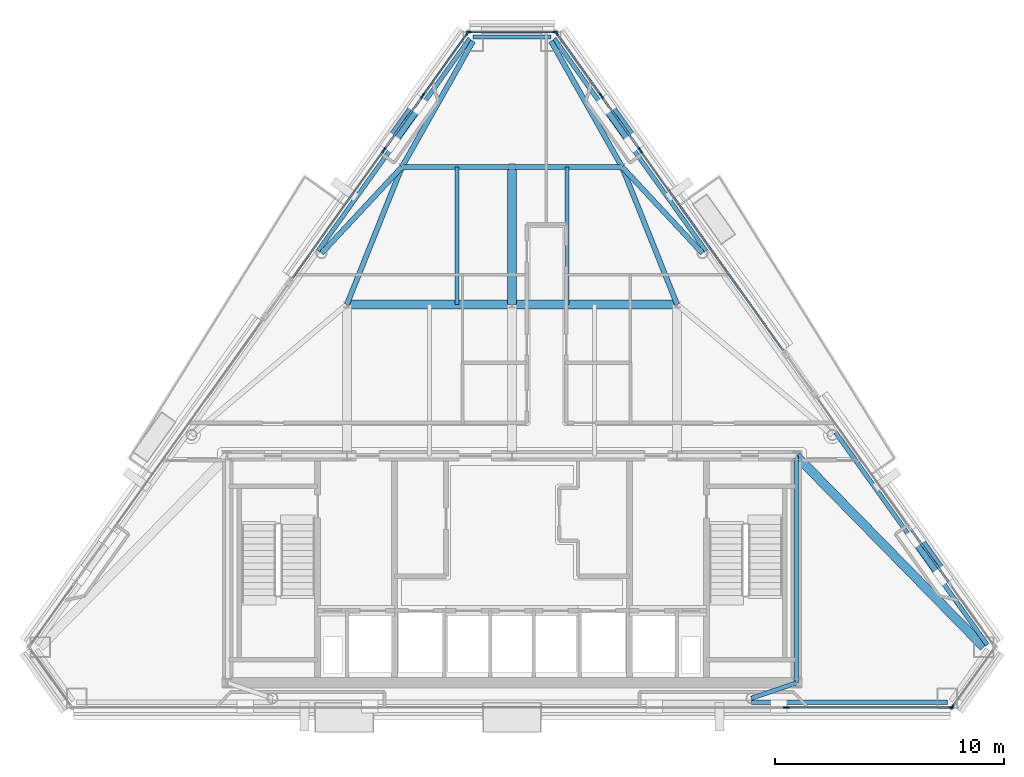
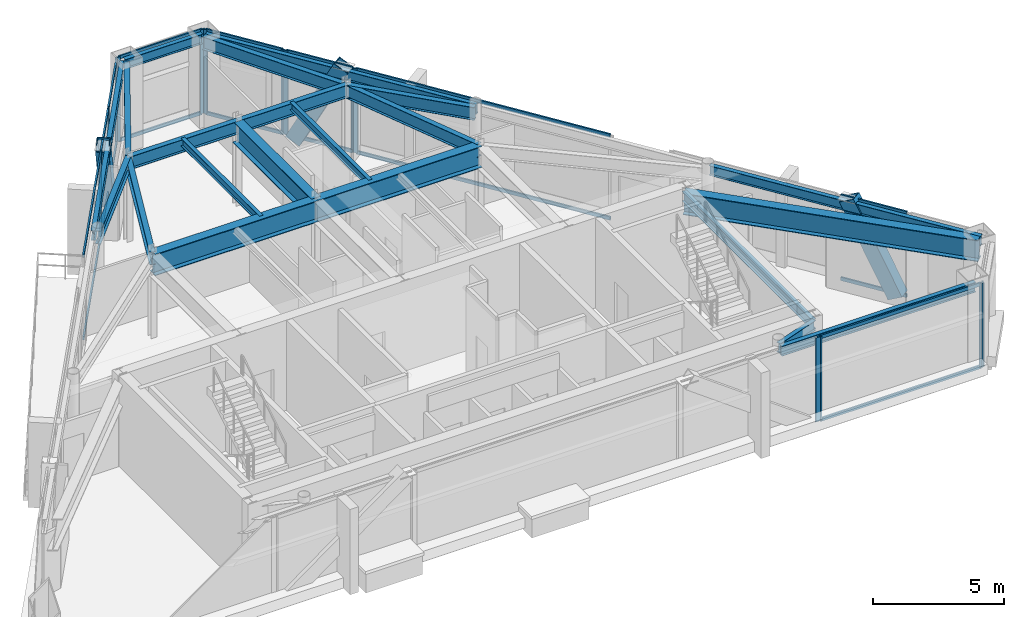
# One storey, part 5 of 12: 37 members, 21 beams, 11 elements without a shape of their own.
"""IFC4 building model written with IfcOpenShell, lengths in metres."""

from ifc_helpers import new_model, si_unit, direction, frame, origin, origin_2d, place, context, subcontext, project, spatial, rectangle, hollow_rectangle, i_section, extrude, material, layer, layer_set, material_profile, profile_set, type_object, element, aggregate, save


model = new_model("IFC4")

# Units and contexts
model_context = context("Model", 3, precision=1e-05, world=origin(), true_north=direction((0.0, 1.0)))
body_context = subcontext(model_context, "Body", "Model", "MODEL_VIEW")
ifc_project = project(units=[si_unit("LENGTHUNIT", "METRE"), si_unit("AREAUNIT", "SQUARE_METRE"), si_unit("VOLUMEUNIT", "CUBIC_METRE"), si_unit("PLANEANGLEUNIT", "RADIAN"), si_unit("MASSUNIT", "GRAM", prefix="KILO")], contexts=[model_context])

# Site, building, storey
site_placement = place(None, origin())
site = spatial("IfcSite", under=ifc_project, at=site_placement, CompositionType="ELEMENT")
building_placement = place(site_placement, origin())
building = spatial("IfcBuilding", under=site, at=building_placement, Name="Talgorran Terracotta Tower", CompositionType="ELEMENT")
storey_placement = place(building_placement, frame((0.0, 0.0, 285.0)))
storey = spatial("IfcBuildingStorey", under=building, at=storey_placement, Name="L75", CompositionType="ELEMENT", Elevation=285.0)

# Beams
ifc_material_1 = material(Name="Steel Grade 350 (350L0)", Category="steel")
ifc_material_profile_1 = material_profile(ifc_material_1, i_section(OverallWidth=0.39990234375, OverallDepth=1.0, WebThickness=0.01611328125, FlangeThickness=0.031005859375, at=origin_2d()), Name="1000WB296")
ifc_profile_set_1 = profile_set([ifc_material_profile_1], Name="Steel Grade 350 (350L0)")
beam_type_1 = type_object("IfcBeamType", Name="BM_1000WB296", PredefinedType="BEAM", material=ifc_profile_set_1)
for number, where, z_axis, x_axis, name in (
    (1, (-7.199951171875, 2.39990234375, 3.419921875), (1.0, 0.0, 0.0), (0.0, 1.0, 0.0), "L75 Floor Girder G04"),
    (2, (0.0, 2.39990234375, 3.419921875), (1.0, 0.0, 0.0), (0.0, 1.0, 0.0), "L75 Floor Girder G05"),
):
    element("IfcBeam", number, at=place(storey_placement, frame(where, z_axis=z_axis, x_axis=x_axis)), inside=storey, type_object=beam_type_1, Name=name, PredefinedType="BEAM", context=body_context, shape_type="SweptSolid", body=[
        extrude(i_section(OverallWidth=0.39990234375, OverallDepth=1.0, WebThickness=0.01611328125, FlangeThickness=0.031005859375, at=origin_2d()), origin(), (0.0, 0.0, 1.0), 7.199951171875),
    ])
beam_1_placement = place(storey_placement, frame((0.0, 2.39990234375, 3.419921875), z_axis=(0.0, 1.0, 0.0), x_axis=(-1.0, 0.0, 0.0)))
element("IfcBeam", 3, at=beam_1_placement, inside=storey, type_object=beam_type_1, Name="L75 Floor Girder G09", PredefinedType="BEAM", context=body_context, shape_type="SweptSolid", body=[
    extrude(i_section(OverallWidth=0.39990234375, OverallDepth=1.0, WebThickness=0.01611328125, FlangeThickness=0.031005859375, at=origin_2d()), origin(), (0.0, 0.0, 1.0), 6.0),
])
beam_2_placement = place(storey_placement, frame((12.39990234375, -4.199951171875, 3.419921875), z_axis=(0.700061173466, -0.714082875726, 0.0), x_axis=(0.714082875726, 0.700061173466, 0.0)))
element("IfcBeam", 4, at=beam_2_placement, inside=storey, type_object=beam_type_1, Name="L75 Floor Girder G18", PredefinedType="BEAM", context=body_context, shape_type="SweptSolid", body=[
    extrude(i_section(OverallWidth=0.39990234375, OverallDepth=1.0, WebThickness=0.01611328125, FlangeThickness=0.031005859375, at=origin_2d()), origin(), (0.0, 0.0, 1.0), 11.68310546875),
])
ifc_material_2 = material(Name="Steel S355 (300PLUS)", Category="steel")
ifc_material_profile_2 = material_profile(ifc_material_2, i_section(OverallWidth=0.22802734375, OverallDepth=0.60205078125, WebThickness=0.010498046875, FlangeThickness=0.014892578125, at=origin_2d()), Name="610UB101")
ifc_profile_set_2 = profile_set([ifc_material_profile_2], Name="Steel S355 (300PLUS)")
beam_type_2 = type_object("IfcBeamType", Name="BM_610UB101", PredefinedType="BEAM", material=ifc_profile_set_2)
for number, where, z_axis, x_axis, name in (
    (5, (-7.199951171875, 2.39990234375, 3.618896484375), (0.371377648723, 0.928481901832, 0.0), (-0.928481901832, 0.371377648723, 0.0), "L75 Floor Girder G08"),
    (6, (7.199951171875, 2.39990234375, 3.618896484375), (-0.371377648723, 0.928481901832, 0.0), (-0.928481901832, -0.371377648723, 0.0), "L75 Floor Girder G10"),
):
    element("IfcBeam", number, at=place(storey_placement, frame(where, z_axis=z_axis, x_axis=x_axis)), inside=storey, type_object=beam_type_2, Name=name, PredefinedType="BEAM", context=body_context, shape_type="SweptSolid", body=[
        extrude(i_section(OverallWidth=0.22802734375, OverallDepth=0.60205078125, WebThickness=0.010498046875, FlangeThickness=0.014892578125, at=origin_2d()), origin(), (0.0, 0.0, 1.0), 6.462158203125),
    ])
for number, where, z_axis, x_axis, name in (
    (7, (-4.800048828125, 8.39990234375, 3.618896484375), (1.0, 0.0, 0.0), (0.0, 1.0, 0.0), "L75 Floor Girder G11"),
    (8, (0.0, 8.39990234375, 3.618896484375), (1.0, 0.0, 0.0), (0.0, 1.0, 0.0), "L75 Floor Girder G12"),
):
    element("IfcBeam", number, at=place(storey_placement, frame(where, z_axis=z_axis, x_axis=x_axis)), inside=storey, type_object=beam_type_2, Name=name, PredefinedType="BEAM", context=body_context, shape_type="SweptSolid", body=[
        extrude(i_section(OverallWidth=0.22802734375, OverallDepth=0.60205078125, WebThickness=0.010498046875, FlangeThickness=0.014892578125, at=origin_2d()), origin(), (0.0, 0.0, 1.0), 4.800048828125),
    ])
for number, where, z_axis, x_axis, name in (
    (9, (-4.800048828125, 8.39990234375, 3.618896484375), (-0.681815691215, -0.731524000435, 0.0), (0.731524000435, -0.681815691215, 0.0), "L75 Floor Girder G13"),
    (10, (4.800048828125, 8.39990234375, 3.618896484375), (0.681815691215, -0.731524000435, 0.0), (0.731524000435, 0.681815691215, 0.0), "L75 Floor Girder G14"),
):
    element("IfcBeam", number, at=place(storey_placement, frame(where, z_axis=z_axis, x_axis=x_axis)), inside=storey, type_object=beam_type_2, Name=name, PredefinedType="BEAM", context=body_context, shape_type="SweptSolid", body=[
        extrude(i_section(OverallWidth=0.22802734375, OverallDepth=0.60205078125, WebThickness=0.010498046875, FlangeThickness=0.014892578125, at=origin_2d()), origin(), (0.0, 0.0, 1.0), 5.142333984375),
    ])
for number, where, z_axis, x_axis, name in (
    (11, (-4.800048828125, 8.39990234375, 3.618896484375), (0.491971771533, 0.870611150867, 0.0), (-0.870611150867, 0.491971771533, 0.0), "L75 Floor Girder G15"),
    (12, (4.800048828125, 8.39990234375, 3.618896484375), (-0.491971771533, 0.870611150867, 0.0), (-0.870611150867, -0.491971771533, 0.0), "L75 Floor Girder G16"),
):
    element("IfcBeam", number, at=place(storey_placement, frame(where, z_axis=z_axis, x_axis=x_axis)), inside=storey, type_object=beam_type_2, Name=name, PredefinedType="BEAM", context=body_context, shape_type="SweptSolid", body=[
        extrude(i_section(OverallWidth=0.22802734375, OverallDepth=0.60205078125, WebThickness=0.010498046875, FlangeThickness=0.014892578125, at=origin_2d()), origin(), (0.0, 0.0, 1.0), 6.305419921875),
    ])
ifc_material_profile_3 = material_profile(ifc_material_2, i_section(OverallWidth=0.17138671875, OverallDepth=0.355712890625, WebThickness=0.00732421875, FlangeThickness=0.011474609375, at=origin_2d()), Name="360UB50.7")
ifc_profile_set_3 = profile_set([ifc_material_profile_3], Name="Steel S355 (300PLUS)")
beam_type_3 = type_object("IfcBeamType", Name="BM_JS_360UB51", PredefinedType="JOIST", material=ifc_profile_set_3)
for number, where, z_axis, x_axis, name in (
    (13, (-2.39990234375, 2.39990234375, 3.7421875), (0.0, 1.0, 0.0), (-1.0, 0.0, 0.0), "L75 Secondary Joist J03"),
    (14, (2.39990234375, 2.39990234375, 3.7421875), (0.0, 1.0, 0.0), (-1.0, 0.0, 0.0), "L75 Secondary Joist J04"),
):
    element("IfcBeam", number, at=place(storey_placement, frame(where, z_axis=z_axis, x_axis=x_axis)), inside=storey, type_object=beam_type_3, Name=name, PredefinedType="JOIST", context=body_context, shape_type="SweptSolid", body=[
        extrude(i_section(OverallWidth=0.17138671875, OverallDepth=0.355712890625, WebThickness=0.00732421875, FlangeThickness=0.011474609375, at=origin_2d()), origin(), (0.0, 0.0, 1.0), 6.0),
    ])
ifc_material_profile_4 = material_profile(ifc_material_2, i_section(OverallWidth=0.18994140625, OverallDepth=0.45703125, WebThickness=0.009033203125, FlangeThickness=0.014404296875, at=origin_2d()), Name="460UB74.6")
ifc_profile_set_4 = profile_set([ifc_material_profile_4], Name="Steel S355 (300PLUS)")
beam_type_4 = type_object("IfcBeamType", Name="BM_SP_460UB74", PredefinedType="SPANDREL", material=ifc_profile_set_4)
beam_3_placement = place(storey_placement, frame((10.441650390625, -14.954345703125, 3.69140625), z_axis=(1.0, 0.0, 0.0), x_axis=(0.0, 1.0, 0.0)))
element("IfcBeam", 15, at=beam_3_placement, inside=storey, type_object=beam_type_4, Name="L75 Perimeter Spandrel Beam FC2-MC3", PredefinedType="SPANDREL", context=body_context, shape_type="SweptSolid", body=[
    extrude(i_section(OverallWidth=0.18994140625, OverallDepth=0.45703125, WebThickness=0.009033203125, FlangeThickness=0.014404296875, at=origin_2d()), origin(), (0.0, 0.0, 1.0), 8.54296875),
])
beam_4_placement = place(storey_placement, frame((20.725341796875, -12.438232421875, 3.69140625), z_axis=(-0.581260538156, 0.813717510431, 0.0), x_axis=(-0.813717510431, -0.581260538156, 0.0)))
element("IfcBeam", 16, at=beam_4_placement, inside=storey, type_object=beam_type_4, Name="L75 Perimeter Spandrel Beam MC4-FC3", PredefinedType="SPANDREL", context=body_context, shape_type="SweptSolid", body=[
    extrude(i_section(OverallWidth=0.18994140625, OverallDepth=0.45703125, WebThickness=0.009033203125, FlangeThickness=0.014404296875, at=origin_2d()), origin(), (0.0, 0.0, 1.0), 11.369140625),
])
beam_5_placement = place(storey_placement, frame((8.45263671875, 4.742919921875, 3.69140625), z_axis=(-0.581246319121, 0.813727667287, 0.0), x_axis=(-0.813727667287, -0.581246319121, 0.0)))
element("IfcBeam", 17, at=beam_5_placement, inside=storey, type_object=beam_type_4, Name="L75 Perimeter Spandrel Beam FC4-MC5", PredefinedType="SPANDREL", context=body_context, shape_type="SweptSolid", body=[
    extrude(i_section(OverallWidth=0.18994140625, OverallDepth=0.45703125, WebThickness=0.009033203125, FlangeThickness=0.014404296875, at=origin_2d()), origin(), (0.0, 0.0, 1.0), 11.368896484375),
])
beam_6_placement = place(storey_placement, frame((1.697998046875, 14.069580078125, 3.69140625), z_axis=(-1.0, 0.0, 0.0), x_axis=(0.0, -1.0, 0.0)))
element("IfcBeam", 18, at=beam_6_placement, inside=storey, type_object=beam_type_4, Name="L75 Perimeter Spandrel Beam MC5-MC6", PredefinedType="SPANDREL", context=body_context, shape_type="SweptSolid", body=[
    extrude(i_section(OverallWidth=0.18994140625, OverallDepth=0.45703125, WebThickness=0.009033203125, FlangeThickness=0.014404296875, at=origin_2d()), origin(), (0.0, 0.0, 1.0), 3.39599609375),
])
beam_7_placement = place(storey_placement, frame((-1.844482421875, 13.994140625, 3.69140625), z_axis=(-0.581246319121, -0.813727667287, 0.0), x_axis=(0.813727667287, -0.581246319121, 0.0)))
element("IfcBeam", 19, at=beam_7_placement, inside=storey, type_object=beam_type_4, Name="L75 Perimeter Spandrel Beam MC6-FC5", PredefinedType="SPANDREL", context=body_context, shape_type="SweptSolid", body=[
    extrude(i_section(OverallWidth=0.18994140625, OverallDepth=0.45703125, WebThickness=0.009033203125, FlangeThickness=0.014404296875, at=origin_2d()), origin(), (0.0, 0.0, 1.0), 11.368896484375),
])
beam_8_placement = place(storey_placement, frame((12.39990234375, -14.10009765625, 3.69140625), z_axis=(-0.945513197236, -0.325583773939, 0.0), x_axis=(0.325583773939, -0.945513197236, 0.0)))
element("IfcBeam", 20, at=beam_8_placement, inside=storey, type_object=beam_type_4, Name="L75 South-East Core Tie Beam", PredefinedType="SPANDREL", context=body_context, shape_type="SweptSolid", body=[
    extrude(i_section(OverallWidth=0.18994140625, OverallDepth=0.45703125, WebThickness=0.009033203125, FlangeThickness=0.014404296875, at=origin_2d()), origin(), (0.0, 0.0, 1.0), 2.071044921875),
])
beam_9_placement = place(storey_placement, frame((12.39990234375, -14.10009765625, 3.69140625), z_axis=(0.0, 1.0, 0.0), x_axis=(-1.0, 0.0, 0.0)))
element("IfcBeam", 21, at=beam_9_placement, inside=storey, type_object=beam_type_4, Name="L75 Core Frame Beam CFE", PredefinedType="SPANDREL", context=body_context, shape_type="SweptSolid", body=[
    extrude(i_section(OverallWidth=0.18994140625, OverallDepth=0.45703125, WebThickness=0.009033203125, FlangeThickness=0.014404296875, at=origin_2d()), origin(), (0.0, 0.0, 1.0), 9.900146484375),
])

# Members
ifc_material_profile_5 = material_profile(ifc_material_1, hollow_rectangle(XDim=0.52001953125, YDim=0.659912109375, WallThickness=0.034912109375, at=origin_2d()), Name="WBOX660X520X35")
ifc_profile_set_5 = profile_set([ifc_material_profile_5], Name="Steel Grade 350 (350L0)")
member_type_1 = type_object("IfcMemberType", Name="MB_MEGA_660", PredefinedType="BRACE", material=ifc_profile_set_5)
member_1_placement = place(storey_placement, frame((18.788330078125, -9.4169921875, -0.02490234375), z_axis=(-0.264620269875, 0.370512180063, 0.890335238658), x_axis=(-0.813765971301, -0.581192690897, 0.0)))
element("IfcMember", 22, at=member_1_placement, inside=storey, type_object=member_type_1, Name="L75 Exterior Face Mega-Brace MB-3 (NEL)", PredefinedType="BRACE", context=body_context, shape_type="SweptSolid", body=[
    extrude(hollow_rectangle(XDim=0.52001953125, YDim=0.659912109375, WallThickness=0.034912109375, at=origin_2d()), origin(), (0.0, 0.0, 1.0), 4.458984375),
])
for number, where, z_axis, x_axis, name in (
    (23, (4.115966796875, 11.123779296875, -0.02490234375), (0.264665818211, -0.370554045853, 0.890304275949), (0.813749718847, 0.581215446351, 0.0), "L75 Exterior Face Mega-Brace MB-3 (NEU)"),
    (24, (-4.115966796875, 11.123779296875, -0.02490234375), (-0.264665818211, -0.370554045853, 0.890304275949), (0.813749718847, -0.581215446351, 0.0), "L75 Exterior Face Mega-Brace MB-3 (NWU)"),
):
    element("IfcMember", number, at=place(storey_placement, frame(where, z_axis=z_axis, x_axis=x_axis)), inside=storey, type_object=member_type_1, Name=name, PredefinedType="BRACE", context=body_context, shape_type="SweptSolid", body=[
        extrude(hollow_rectangle(XDim=0.52001953125, YDim=0.659912109375, WallThickness=0.034912109375, at=origin_2d()), origin(), (0.0, 0.0, 1.0), 4.459228515625),
    ])

# Curtain wall, member
ifc_material_3 = material(Name="High-Wind Unitised Glazing", Category="glass")
ifc_layer = layer(ifc_material_3, 0.2099609375, Name="CW_SYS3_RES_HIGH")
ifc_layer_set = layer_set([ifc_layer], Name="High-Wind Unitised Glazing")
curtain_wall_type = type_object("IfcCurtainWallType", Name="CW_SYS3_RES_HIGH", PredefinedType="NOTDEFINED", material=ifc_layer_set)
curtain_wall_1_placement = place(storey_placement, origin())
curtain_wall_1 = element("IfcCurtainWall", 25, at=curtain_wall_1_placement, inside=storey, type_object=curtain_wall_type, Name="CW-L75-F1D", PredefinedType="NOTDEFINED")
ifc_material_4 = material(Name="Architectural Aluminium 6063-T6", Category="aluminium")
ifc_material_profile_6 = material_profile(ifc_material_4, rectangle(XDim=0.070068359375, YDim=0.199951171875, at=origin_2d()), Name="CWM70X200")
ifc_profile_set_6 = profile_set([ifc_material_profile_6], Name="Architectural Aluminium 6063-T6")
member_type_2 = type_object("IfcMemberType", Name="MUL_70X200", PredefinedType="MULLION", material=ifc_profile_set_6)
member_2_placement = place(storey_placement, frame((11.9345703125, -15.17431640625, 0.0), z_axis=(0.0, 0.0, 1.0), x_axis=(0.0, 1.0, 0.0)))
member_2 = element("IfcMember", 26, at=member_2_placement, type_object=member_type_2, Name="CW-L75-1D mullion 2", PredefinedType="MULLION", context=body_context, shape_type="SweptSolid", body=[
    extrude(rectangle(XDim=0.070068359375, YDim=0.199951171875, at=origin_2d()), origin(), (0.0, 0.0, 1.0), 3.919921875),
])
aggregate(curtain_wall_1, [member_2])

# Curtain wall, members
curtain_wall_2_placement = place(storey_placement, origin())
curtain_wall_2 = element("IfcCurtainWall", 27, at=curtain_wall_2_placement, inside=storey, type_object=curtain_wall_type, Name="CW-L75-F1E", PredefinedType="NOTDEFINED")
member_3_placement = place(storey_placement, frame((12.014404296875, -15.17431640625, 0.0), z_axis=(0.0, 0.0, 1.0), x_axis=(0.0, 1.0, 0.0)))
member_3 = element("IfcMember", 28, at=member_3_placement, type_object=member_type_2, Name="CW-L75-1E mullion 1", PredefinedType="MULLION", context=body_context, shape_type="SweptSolid", body=[
    extrude(rectangle(XDim=0.070068359375, YDim=0.199951171875, at=origin_2d()), origin(), (0.0, 0.0, 1.0), 3.919921875),
])
member_4_placement = place(storey_placement, frame((19.155517578125, -15.17431640625, 0.0), z_axis=(0.0, 0.0, 1.0), x_axis=(0.0, 1.0, 0.0)))
member_4 = element("IfcMember", 29, at=member_4_placement, type_object=member_type_2, Name="CW-L75-1E mullion 2", PredefinedType="MULLION", context=body_context, shape_type="SweptSolid", body=[
    extrude(rectangle(XDim=0.070068359375, YDim=0.199951171875, at=origin_2d()), origin(), (0.0, 0.0, 1.0), 3.919921875),
])

# Curtain wall, member
curtain_wall_3_placement = place(storey_placement, origin())
curtain_wall_3 = element("IfcCurtainWall", 30, at=curtain_wall_3_placement, inside=storey, type_object=curtain_wall_type, Name="CW-L75-F2", PredefinedType="NOTDEFINED")
member_5_placement = place(storey_placement, frame((19.2109375, -15.14599609375, 0.0), z_axis=(0.0, 0.0, 1.0), x_axis=(-0.813720935413, 0.58125574343, 0.0)))
member_5 = element("IfcMember", 31, at=member_5_placement, type_object=member_type_2, Name="CW-L75-2 mullion 1", PredefinedType="MULLION", context=body_context, shape_type="SweptSolid", body=[
    extrude(rectangle(XDim=0.070068359375, YDim=0.199951171875, at=origin_2d()), origin(), (0.0, 0.0, 1.0), 3.919921875),
])
aggregate(curtain_wall_3, [member_5])

curtain_wall_4_placement = place(storey_placement, origin())
curtain_wall_4 = element("IfcCurtainWall", 32, at=curtain_wall_4_placement, inside=storey, type_object=curtain_wall_type, Name="CW-L75-F41", PredefinedType="NOTDEFINED")
member_6_placement = place(storey_placement, frame((5.60986328125, 9.10107421875, 0.0), z_axis=(0.0, 0.0, 1.0), x_axis=(-0.81372595479, -0.581248716559, 0.0)))
member_6 = element("IfcMember", 33, at=member_6_placement, type_object=member_type_2, Name="CW-L75-41 mullion 2", PredefinedType="MULLION", context=body_context, shape_type="SweptSolid", body=[
    extrude(rectangle(XDim=0.070068359375, YDim=0.199951171875, at=origin_2d()), origin(), (0.0, 0.0, 1.0), 3.919921875),
])

# Curtain wall, members
curtain_wall_5_placement = place(storey_placement, origin())
curtain_wall_5 = element("IfcCurtainWall", 34, at=curtain_wall_5_placement, inside=storey, type_object=curtain_wall_type, Name="CW-L75-F41B", PredefinedType="NOTDEFINED")
member_7_placement = place(storey_placement, frame((5.5634765625, 9.166259765625, 0.0), z_axis=(0.0, 0.0, 1.0), x_axis=(-0.813735794752, -0.581234940743, 0.0)))
member_7 = element("IfcMember", 35, at=member_7_placement, type_object=member_type_2, Name="CW-L75-41B mullion 1", PredefinedType="MULLION", context=body_context, shape_type="SweptSolid", body=[
    extrude(rectangle(XDim=0.070068359375, YDim=0.199951171875, at=origin_2d()), origin(), (0.0, 0.0, 1.0), 3.919921875),
])
member_8_placement = place(storey_placement, frame((3.913818359375, 11.4755859375, 0.0), z_axis=(0.0, 0.0, 1.0), x_axis=(-0.813735794752, -0.581234940743, 0.0)))
member_8 = element("IfcMember", 36, at=member_8_placement, type_object=member_type_2, Name="CW-L75-41B mullion 2", PredefinedType="MULLION", context=body_context, shape_type="SweptSolid", body=[
    extrude(rectangle(XDim=0.070068359375, YDim=0.199951171875, at=origin_2d()), origin(), (0.0, 0.0, 1.0), 3.919921875),
])

curtain_wall_6_placement = place(storey_placement, origin())
curtain_wall_6 = element("IfcCurtainWall", 37, at=curtain_wall_6_placement, inside=storey, type_object=curtain_wall_type, Name="CW-L75-F41C", PredefinedType="NOTDEFINED")
member_9_placement = place(storey_placement, frame((3.867431640625, 11.54052734375, 0.0), z_axis=(0.0, 0.0, 1.0), x_axis=(-0.813725458967, -0.581249410692, 0.0)))
member_9 = element("IfcMember", 38, at=member_9_placement, type_object=member_type_2, Name="CW-L75-41C mullion 1", PredefinedType="MULLION", context=body_context, shape_type="SweptSolid", body=[
    extrude(rectangle(XDim=0.070068359375, YDim=0.199951171875, at=origin_2d()), origin(), (0.0, 0.0, 1.0), 3.919921875),
])
member_10_placement = place(storey_placement, frame((1.947265625, 14.228515625, 0.0), z_axis=(0.0, 0.0, 1.0), x_axis=(-0.813725458967, -0.581249410692, 0.0)))
member_10 = element("IfcMember", 39, at=member_10_placement, type_object=member_type_2, Name="CW-L75-41C mullion 2", PredefinedType="MULLION", context=body_context, shape_type="SweptSolid", body=[
    extrude(rectangle(XDim=0.070068359375, YDim=0.199951171875, at=origin_2d()), origin(), (0.0, 0.0, 1.0), 3.919921875),
])

curtain_wall_7_placement = place(storey_placement, origin())
curtain_wall_7 = element("IfcCurtainWall", 40, at=curtain_wall_7_placement, inside=storey, type_object=curtain_wall_type, Name="CW-L75-F4", PredefinedType="NOTDEFINED")
member_11_placement = place(storey_placement, frame((1.86865234375, 14.28955078125, 0.0), z_axis=(0.0, 0.0, 1.0), x_axis=(0.0, -1.0, 0.0)))
member_11 = element("IfcMember", 41, at=member_11_placement, type_object=member_type_2, Name="CW-L75-4 mullion 1", PredefinedType="MULLION", context=body_context, shape_type="SweptSolid", body=[
    extrude(rectangle(XDim=0.070068359375, YDim=0.199951171875, at=origin_2d()), origin(), (0.0, 0.0, 1.0), 3.919921875),
])
member_12_placement = place(storey_placement, frame((-1.86865234375, 14.28955078125, 0.0), z_axis=(0.0, 0.0, 1.0), x_axis=(0.0, -1.0, 0.0)))
member_12 = element("IfcMember", 42, at=member_12_placement, type_object=member_type_2, Name="CW-L75-4 mullion 2", PredefinedType="MULLION", context=body_context, shape_type="SweptSolid", body=[
    extrude(rectangle(XDim=0.070068359375, YDim=0.199951171875, at=origin_2d()), origin(), (0.0, 0.0, 1.0), 3.919921875),
])

curtain_wall_8_placement = place(storey_placement, origin())
curtain_wall_8 = element("IfcCurtainWall", 43, at=curtain_wall_8_placement, inside=storey, type_object=curtain_wall_type, Name="CW-L75-F60", PredefinedType="NOTDEFINED")
member_13_placement = place(storey_placement, frame((-1.947265625, 14.228515625, 0.0), z_axis=(0.0, 0.0, 1.0), x_axis=(0.813725458967, -0.581249410692, 0.0)))
member_13 = element("IfcMember", 44, at=member_13_placement, type_object=member_type_2, Name="CW-L75-60 mullion 1", PredefinedType="MULLION", context=body_context, shape_type="SweptSolid", body=[
    extrude(rectangle(XDim=0.070068359375, YDim=0.199951171875, at=origin_2d()), origin(), (0.0, 0.0, 1.0), 3.919921875),
])
member_14_placement = place(storey_placement, frame((-3.867431640625, 11.54052734375, 0.0), z_axis=(0.0, 0.0, 1.0), x_axis=(0.813725458967, -0.581249410692, 0.0)))
member_14 = element("IfcMember", 45, at=member_14_placement, type_object=member_type_2, Name="CW-L75-60 mullion 2", PredefinedType="MULLION", context=body_context, shape_type="SweptSolid", body=[
    extrude(rectangle(XDim=0.070068359375, YDim=0.199951171875, at=origin_2d()), origin(), (0.0, 0.0, 1.0), 3.919921875),
])

curtain_wall_9_placement = place(storey_placement, origin())
curtain_wall_9 = element("IfcCurtainWall", 46, at=curtain_wall_9_placement, inside=storey, type_object=curtain_wall_type, Name="CW-L75-F60B", PredefinedType="NOTDEFINED")
member_15_placement = place(storey_placement, frame((-3.913818359375, 11.4755859375, 0.0), z_axis=(0.0, 0.0, 1.0), x_axis=(0.813735794752, -0.581234940743, 0.0)))
member_15 = element("IfcMember", 47, at=member_15_placement, type_object=member_type_2, Name="CW-L75-60B mullion 1", PredefinedType="MULLION", context=body_context, shape_type="SweptSolid", body=[
    extrude(rectangle(XDim=0.070068359375, YDim=0.199951171875, at=origin_2d()), origin(), (0.0, 0.0, 1.0), 3.919921875),
])
member_16_placement = place(storey_placement, frame((-5.5634765625, 9.166259765625, 0.0), z_axis=(0.0, 0.0, 1.0), x_axis=(0.813735794752, -0.581234940743, 0.0)))
member_16 = element("IfcMember", 48, at=member_16_placement, type_object=member_type_2, Name="CW-L75-60B mullion 2", PredefinedType="MULLION", context=body_context, shape_type="SweptSolid", body=[
    extrude(rectangle(XDim=0.070068359375, YDim=0.199951171875, at=origin_2d()), origin(), (0.0, 0.0, 1.0), 3.919921875),
])

# Curtain wall, member
curtain_wall_10_placement = place(storey_placement, origin())
curtain_wall_10 = element("IfcCurtainWall", 49, at=curtain_wall_10_placement, inside=storey, type_object=curtain_wall_type, Name="CW-L75-F60C", PredefinedType="NOTDEFINED")
member_17_placement = place(storey_placement, frame((-5.60986328125, 9.10107421875, 0.0), z_axis=(0.0, 0.0, 1.0), x_axis=(0.813723720899, -0.581251843907, 0.0)))
member_17 = element("IfcMember", 50, at=member_17_placement, type_object=member_type_2, Name="CW-L75-60C mullion 1", PredefinedType="MULLION", context=body_context, shape_type="SweptSolid", body=[
    extrude(rectangle(XDim=0.070068359375, YDim=0.199951171875, at=origin_2d()), origin(), (0.0, 0.0, 1.0), 3.919921875),
])

# Member
ifc_material_profile_7 = material_profile(ifc_material_4, rectangle(XDim=0.070068359375, YDim=0.159912109375, at=origin_2d()), Name="CWT70X160")
ifc_profile_set_7 = profile_set([ifc_material_profile_7], Name="Architectural Aluminium 6063-T6")
member_type_3 = type_object("IfcMemberType", Name="TRN_70X160", PredefinedType="USERDEFINED", material=ifc_profile_set_7)
member_18_placement = place(storey_placement, frame((12.049560546875, -15.17431640625, 0.034912109375), z_axis=(1.0, 0.0, 0.0), x_axis=(0.0, 1.0, 0.0)))
member_18 = element("IfcMember", 51, at=member_18_placement, type_object=member_type_3, Name="CW-L75-1E transom 1.1", ObjectType="TRANSOM", PredefinedType="USERDEFINED", context=body_context, shape_type="SweptSolid", body=[
    extrude(rectangle(XDim=0.070068359375, YDim=0.159912109375, at=origin_2d()), origin(), (0.0, 0.0, 1.0), 7.071044921875),
])

member_19_placement = place(storey_placement, frame((12.049560546875, -15.17431640625, 3.885009765625), z_axis=(1.0, 0.0, 0.0), x_axis=(0.0, 1.0, 0.0)))
member_19 = element("IfcMember", 52, at=member_19_placement, type_object=member_type_3, Name="CW-L75-1E transom 1.2", ObjectType="TRANSOM", PredefinedType="USERDEFINED", context=body_context, shape_type="SweptSolid", body=[
    extrude(rectangle(XDim=0.070068359375, YDim=0.159912109375, at=origin_2d()), origin(), (0.0, 0.0, 1.0), 7.071044921875),
])

aggregate(curtain_wall_2, [member_3, member_4, member_18, member_19])

# Curtain wall, members
curtain_wall_11_placement = place(storey_placement, origin())
curtain_wall_11 = element("IfcCurtainWall", 53, at=curtain_wall_11_placement, inside=storey, type_object=curtain_wall_type, Name="CW-L75-F40B", PredefinedType="NOTDEFINED")
member_20_placement = place(storey_placement, frame((19.03515625, -9.69384765625, 0.034912109375), z_axis=(-0.58127991218, 0.813703670691, 0.0), x_axis=(-0.813703670691, -0.58127991218, 0.0)))
member_20 = element("IfcMember", 54, at=member_20_placement, type_object=member_type_3, Name="CW-L75-40B transom 1.1", ObjectType="TRANSOM", PredefinedType="USERDEFINED", context=body_context, shape_type="SweptSolid", body=[
    extrude(rectangle(XDim=0.070068359375, YDim=0.159912109375, at=origin_2d()), origin(), (0.0, 0.0, 1.0), 2.767822265625),
])
member_21_placement = place(storey_placement, frame((19.03515625, -9.69384765625, 3.885009765625), z_axis=(-0.58127991218, 0.813703670691, 0.0), x_axis=(-0.813703670691, -0.58127991218, 0.0)))
member_21 = element("IfcMember", 55, at=member_21_placement, type_object=member_type_3, Name="CW-L75-40B transom 1.2", ObjectType="TRANSOM", PredefinedType="USERDEFINED", context=body_context, shape_type="SweptSolid", body=[
    extrude(rectangle(XDim=0.070068359375, YDim=0.159912109375, at=origin_2d()), origin(), (0.0, 0.0, 1.0), 2.767822265625),
])
aggregate(curtain_wall_11, [member_20, member_21])

# Member
member_22_placement = place(storey_placement, frame((11.81884765625, 0.40869140625, 0.034912109375), z_axis=(-0.581244700775, 0.813728823271, 0.0), x_axis=(-0.813728823271, -0.581244700775, 0.0)))
member_22 = element("IfcMember", 56, at=member_22_placement, type_object=member_type_3, Name="CW-L75-41 transom 1.1", ObjectType="TRANSOM", PredefinedType="USERDEFINED", context=body_context, shape_type="SweptSolid", body=[
    extrude(rectangle(XDim=0.070068359375, YDim=0.159912109375, at=origin_2d()), origin(), (0.0, 0.0, 1.0), 10.6474609375),
])

member_23_placement = place(storey_placement, frame((11.81884765625, 0.40869140625, 3.885009765625), z_axis=(-0.581244700775, 0.813728823271, 0.0), x_axis=(-0.813728823271, -0.581244700775, 0.0)))
member_23 = element("IfcMember", 57, at=member_23_placement, type_object=member_type_3, Name="CW-L75-41 transom 1.2", ObjectType="TRANSOM", PredefinedType="USERDEFINED", context=body_context, shape_type="SweptSolid", body=[
    extrude(rectangle(XDim=0.070068359375, YDim=0.159912109375, at=origin_2d()), origin(), (0.0, 0.0, 1.0), 10.6474609375),
])

aggregate(curtain_wall_4, [member_6, member_22, member_23])

member_24_placement = place(storey_placement, frame((5.54296875, 9.194580078125, 0.034912109375), z_axis=(-0.581238193719, 0.813733471207, 0.0), x_axis=(-0.813733471207, -0.581238193719, 0.0)))
member_24 = element("IfcMember", 58, at=member_24_placement, type_object=member_type_3, Name="CW-L75-41B transom 1.1", ObjectType="TRANSOM", PredefinedType="USERDEFINED", context=body_context, shape_type="SweptSolid", body=[
    extrude(rectangle(XDim=0.070068359375, YDim=0.159912109375, at=origin_2d()), origin(), (0.0, 0.0, 1.0), 2.76806640625),
])

member_25_placement = place(storey_placement, frame((5.54296875, 9.194580078125, 3.885009765625), z_axis=(-0.581238193719, 0.813733471207, 0.0), x_axis=(-0.813733471207, -0.581238193719, 0.0)))
member_25 = element("IfcMember", 59, at=member_25_placement, type_object=member_type_3, Name="CW-L75-41B transom 1.2", ObjectType="TRANSOM", PredefinedType="USERDEFINED", context=body_context, shape_type="SweptSolid", body=[
    extrude(rectangle(XDim=0.070068359375, YDim=0.159912109375, at=origin_2d()), origin(), (0.0, 0.0, 1.0), 2.76806640625),
])

aggregate(curtain_wall_5, [member_7, member_8, member_24, member_25])

member_26_placement = place(storey_placement, frame((3.846923828125, 11.569091796875, 0.034912109375), z_axis=(-0.581231050483, 0.813738573471, 0.0), x_axis=(-0.813738573471, -0.581231050483, 0.0)))
member_26 = element("IfcMember", 60, at=member_26_placement, type_object=member_type_3, Name="CW-L75-41C transom 1.1", ObjectType="TRANSOM", PredefinedType="USERDEFINED", context=body_context, shape_type="SweptSolid", body=[
    extrude(rectangle(XDim=0.070068359375, YDim=0.159912109375, at=origin_2d()), origin(), (0.0, 0.0, 1.0), 3.233154296875),
])

member_27_placement = place(storey_placement, frame((3.846923828125, 11.569091796875, 3.885009765625), z_axis=(-0.581231050483, 0.813738573471, 0.0), x_axis=(-0.813738573471, -0.581231050483, 0.0)))
member_27 = element("IfcMember", 61, at=member_27_placement, type_object=member_type_3, Name="CW-L75-41C transom 1.2", ObjectType="TRANSOM", PredefinedType="USERDEFINED", context=body_context, shape_type="SweptSolid", body=[
    extrude(rectangle(XDim=0.070068359375, YDim=0.159912109375, at=origin_2d()), origin(), (0.0, 0.0, 1.0), 3.233154296875),
])

aggregate(curtain_wall_6, [member_9, member_10, member_26, member_27])

member_28_placement = place(storey_placement, frame((1.833740234375, 14.28955078125, 0.034912109375), z_axis=(-1.0, 0.0, 0.0), x_axis=(0.0, -1.0, 0.0)))
member_28 = element("IfcMember", 62, at=member_28_placement, type_object=member_type_3, Name="CW-L75-4 transom 1.1", ObjectType="TRANSOM", PredefinedType="USERDEFINED", context=body_context, shape_type="SweptSolid", body=[
    extrude(rectangle(XDim=0.070068359375, YDim=0.159912109375, at=origin_2d()), origin(), (0.0, 0.0, 1.0), 3.66748046875),
])

member_29_placement = place(storey_placement, frame((1.833740234375, 14.28955078125, 3.885009765625), z_axis=(-1.0, 0.0, 0.0), x_axis=(0.0, -1.0, 0.0)))
member_29 = element("IfcMember", 63, at=member_29_placement, type_object=member_type_3, Name="CW-L75-4 transom 1.2", ObjectType="TRANSOM", PredefinedType="USERDEFINED", context=body_context, shape_type="SweptSolid", body=[
    extrude(rectangle(XDim=0.070068359375, YDim=0.159912109375, at=origin_2d()), origin(), (0.0, 0.0, 1.0), 3.66748046875),
])

aggregate(curtain_wall_7, [member_11, member_12, member_28, member_29])

member_30_placement = place(storey_placement, frame((-1.9677734375, 14.199951171875, 0.034912109375), z_axis=(-0.581231050483, -0.813738573471, 0.0), x_axis=(0.813738573471, -0.581231050483, 0.0)))
member_30 = element("IfcMember", 64, at=member_30_placement, type_object=member_type_3, Name="CW-L75-60 transom 1.1", ObjectType="TRANSOM", PredefinedType="USERDEFINED", context=body_context, shape_type="SweptSolid", body=[
    extrude(rectangle(XDim=0.070068359375, YDim=0.159912109375, at=origin_2d()), origin(), (0.0, 0.0, 1.0), 3.233154296875),
])

member_31_placement = place(storey_placement, frame((-1.9677734375, 14.199951171875, 3.885009765625), z_axis=(-0.581231050483, -0.813738573471, 0.0), x_axis=(0.813738573471, -0.581231050483, 0.0)))
member_31 = element("IfcMember", 65, at=member_31_placement, type_object=member_type_3, Name="CW-L75-60 transom 1.2", ObjectType="TRANSOM", PredefinedType="USERDEFINED", context=body_context, shape_type="SweptSolid", body=[
    extrude(rectangle(XDim=0.070068359375, YDim=0.159912109375, at=origin_2d()), origin(), (0.0, 0.0, 1.0), 3.233154296875),
])

aggregate(curtain_wall_8, [member_13, member_14, member_30, member_31])

member_32_placement = place(storey_placement, frame((-3.93408203125, 11.447021484375, 0.034912109375), z_axis=(-0.581238193719, -0.813733471207, 0.0), x_axis=(0.813733471207, -0.581238193719, 0.0)))
member_32 = element("IfcMember", 66, at=member_32_placement, type_object=member_type_3, Name="CW-L75-60B transom 1.1", ObjectType="TRANSOM", PredefinedType="USERDEFINED", context=body_context, shape_type="SweptSolid", body=[
    extrude(rectangle(XDim=0.070068359375, YDim=0.159912109375, at=origin_2d()), origin(), (0.0, 0.0, 1.0), 2.76806640625),
])

member_33_placement = place(storey_placement, frame((-3.93408203125, 11.447021484375, 3.885009765625), z_axis=(-0.581238193719, -0.813733471207, 0.0), x_axis=(0.813733471207, -0.581238193719, 0.0)))
member_33 = element("IfcMember", 67, at=member_33_placement, type_object=member_type_3, Name="CW-L75-60B transom 1.2", ObjectType="TRANSOM", PredefinedType="USERDEFINED", context=body_context, shape_type="SweptSolid", body=[
    extrude(rectangle(XDim=0.070068359375, YDim=0.159912109375, at=origin_2d()), origin(), (0.0, 0.0, 1.0), 2.76806640625),
])

aggregate(curtain_wall_9, [member_15, member_16, member_32, member_33])

member_34_placement = place(storey_placement, frame((-5.630126953125, 9.072509765625, 0.034912109375), z_axis=(-0.581262002063, -0.813716464721, 0.0), x_axis=(0.813716464721, -0.581262002063, 0.0)))
member_34 = element("IfcMember", 68, at=member_34_placement, type_object=member_type_3, Name="CW-L75-60C transom 1.1", ObjectType="TRANSOM", PredefinedType="USERDEFINED", context=body_context, shape_type="SweptSolid", body=[
    extrude(rectangle(XDim=0.070068359375, YDim=0.159912109375, at=origin_2d()), origin(), (0.0, 0.0, 1.0), 6.7900390625),
])

member_35_placement = place(storey_placement, frame((-5.630126953125, 9.072509765625, 3.885009765625), z_axis=(-0.581262002063, -0.813716464721, 0.0), x_axis=(0.813716464721, -0.581262002063, 0.0)))
member_35 = element("IfcMember", 69, at=member_35_placement, type_object=member_type_3, Name="CW-L75-60C transom 1.2", ObjectType="TRANSOM", PredefinedType="USERDEFINED", context=body_context, shape_type="SweptSolid", body=[
    extrude(rectangle(XDim=0.070068359375, YDim=0.159912109375, at=origin_2d()), origin(), (0.0, 0.0, 1.0), 6.7900390625),
])

aggregate(curtain_wall_10, [member_17, member_34, member_35])

save(model, "model.ifc")
